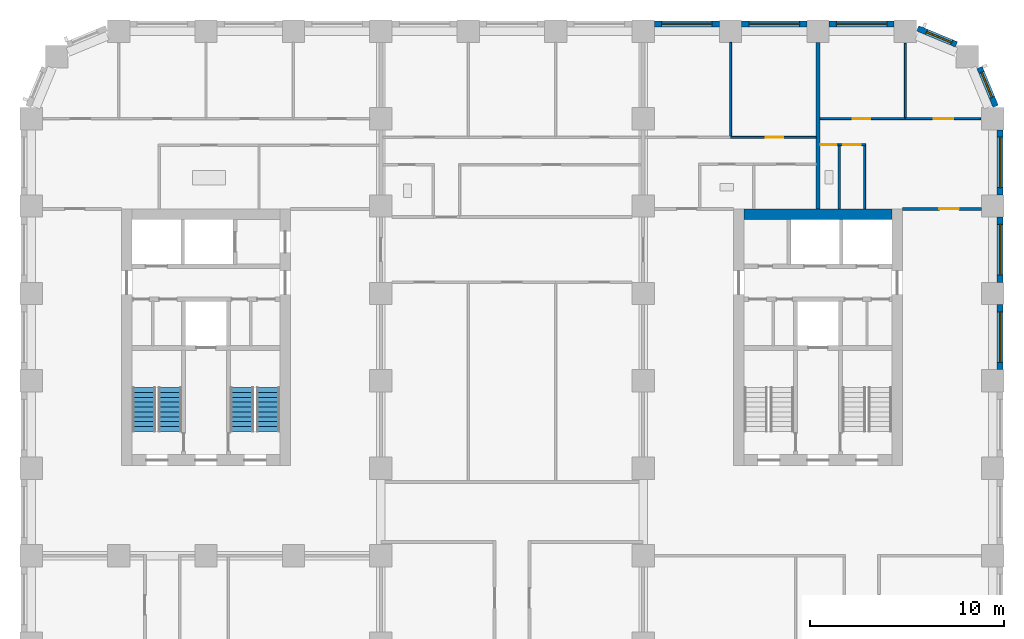
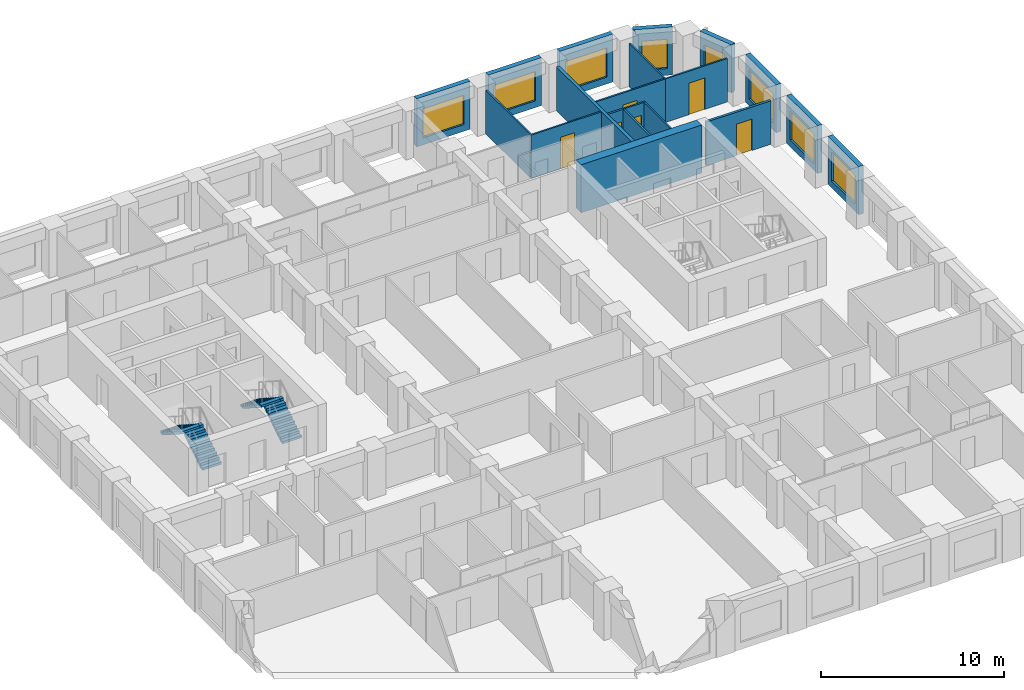
# One storey, part 9 of 13: 20 walls, 8 windows, 6 doors, 4 stair flights, 14 openings, 2 elements without a shape of their own.
"""IFC4 building model written with IfcOpenShell, lengths in metres."""

from ifc_helpers import new_model, si_unit, direction, frame, frame_2d, origin, place, context, subcontext, project, spatial, polyline, rectangle, outline, extrude, material, layer, layer_set, type_object, element, fill, aggregate, save


model = new_model("IFC4")

# Units and contexts
model_context = context("Model", 3, precision=1e-05, world=origin(), true_north=direction((0.0, 1.0)))
body_context = subcontext(model_context, "Body", "Model", "MODEL_VIEW")
ifc_project = project(units=[si_unit("LENGTHUNIT", "METRE"), si_unit("AREAUNIT", "SQUARE_METRE"), si_unit("VOLUMEUNIT", "CUBIC_METRE"), si_unit("PLANEANGLEUNIT", "RADIAN"), si_unit("MASSUNIT", "GRAM", prefix="KILO")], contexts=[model_context])

# Site, building, storey
site_placement = place(None, origin())
site = spatial("IfcSite", under=ifc_project, at=site_placement, CompositionType="ELEMENT")
building_placement = place(site_placement, origin())
building = spatial("IfcBuilding", under=site, at=building_placement, Name="Girih Gate Residences", CompositionType="ELEMENT")
storey_placement = place(building_placement, frame((0.0, 0.0, 96.0)))
storey = spatial("IfcBuildingStorey", under=building, at=storey_placement, Name="L26", CompositionType="ELEMENT", Elevation=96.0)

# Wall, opening, door
ifc_material_1 = material(Name="Gypsum board on steel studs", Category="steel")
ifc_layer_1 = layer(ifc_material_1, 0.14990234375)
ifc_layer_set_1 = layer_set([ifc_layer_1], Name="Compartment wall 150 mm")
wall_type_1 = type_object("IfcWallType", Name="Compartment wall 150 mm", PredefinedType="PARTITIONING", material=ifc_layer_set_1)
wall_1_placement = place(storey_placement, frame((44.85009765625, 40.35009765625, 0.0), z_axis=(0.0, 0.0, 1.0), x_axis=(1.0, 0.0, 0.0)))
wall_1 = element("IfcWall", 1, at=wall_1_placement, inside=storey, type_object=wall_type_1, Name="L26 partition", PredefinedType="PARTITIONING", context=body_context, shape_type="SweptSolid", body=[
    extrude(rectangle(XDim=4.074951171875, YDim=0.14990234375, at=frame_2d((2.03759765625, 0.0))), origin(), (0.0, 0.0, 1.0), 2.89990234375),
])
opening_1_placement = place(wall_1_placement, frame((1.89990234375, 0.0, 0.0)))
opening_1 = element("IfcOpeningElement", 2, at=opening_1_placement, cuts=wall_1, Name="Opening A26-029", PredefinedType="OPENING", context=body_context, shape_type="SweptSolid", body=[
    extrude(rectangle(XDim=1.0, YDim=2.10009765625, at=frame_2d((0.5, 1.050048828125))), frame((0.0, 0.0849609375, 0.0), z_axis=(0.0, -1.0, 0.0), x_axis=(1.0, 0.0, 0.0)), (0.0, 0.0, 1.0), 0.169921875),
])
ifc_material_2 = material(Name="Timber, fire-rated core", Category="wood")
door_type_1 = type_object("IfcDoorType", Name="Flat entrance door 1000x2100 FD30S", OperationType="NOTDEFINED", PredefinedType="DOOR", material=ifc_material_2)
door_1_placement = place(opening_1_placement, origin())
door_1 = element("IfcDoor", 3, at=door_1_placement, inside=storey, type_object=door_type_1, Name="Door A26-029", OperationType="SINGLE_SWING_RIGHT", OverallHeight=2.10009765625, OverallWidth=1.0, PredefinedType="DOOR", context=body_context, shape_type="SweptSolid", body=[
    extrude(rectangle(XDim=1.0, YDim=2.10009765625, at=frame_2d((0.5, 1.050048828125))), frame((0.0, 0.02490234375, 0.0), z_axis=(0.0, -1.0, 0.0), x_axis=(1.0, 0.0, 0.0)), (0.0, 0.0, 1.0), 0.050048828125),
])
fill(opening_1, door_1)

# Wall
ifc_material_3 = material(Name="Concrete C60/75", Category="concrete")
ifc_layer_2 = layer(ifc_material_3, 0.550048828125)
ifc_layer_set_2 = layer_set([ifc_layer_2], Name="Core wall RC 550 Concrete C60/75")
wall_type_2 = type_object("IfcWallType", Name="Core wall RC 550 Concrete C60/75", PredefinedType="SOLIDWALL", material=ifc_layer_set_2)
wall_2_placement = place(storey_placement, frame((36.699951171875, 40.074951171875, 0.0), z_axis=(0.0, 0.0, 1.0), x_axis=(1.0, 0.0, 0.0)))
element("IfcWall", 4, at=wall_2_placement, inside=storey, type_object=wall_type_2, Name="Core wall E-N L26", PredefinedType="SOLIDWALL", context=body_context, shape_type="SweptSolid", body=[
    extrude(rectangle(XDim=7.60009765625, YDim=0.550048828125, at=frame_2d((3.800048828125, 0.0))), origin(), (0.0, 0.0, 1.0), 3.199951171875),
])

# Wall, opening, door
ifc_layer_3 = layer(ifc_material_1, 0.10009765625)
ifc_layer_set_3 = layer_set([ifc_layer_3], Name="Partition 100 mm")
wall_type_3 = type_object("IfcWallType", Name="Partition 100 mm", PredefinedType="PARTITIONING", material=ifc_layer_set_3)
wall_3_placement = place(storey_placement, frame((40.60009765625, 45.0, 0.0), z_axis=(0.0, 0.0, 1.0), x_axis=(1.0, 0.0, 0.0)))
wall_3 = element("IfcWall", 5, at=wall_3_placement, inside=storey, type_object=wall_type_3, Name="L26 partition", PredefinedType="PARTITIONING", context=body_context, shape_type="SweptSolid", body=[
    extrude(rectangle(XDim=4.39990234375, YDim=0.10009765625, at=frame_2d((2.199951171875, 0.0))), origin(), (0.0, 0.0, 1.0), 2.89990234375),
])
opening_2_placement = place(wall_3_placement, frame((1.699951171875, 0.0, 0.0)))
opening_2 = element("IfcOpeningElement", 6, at=opening_2_placement, cuts=wall_3, Name="Opening A26-026", PredefinedType="OPENING", context=body_context, shape_type="SweptSolid", body=[
    extrude(rectangle(XDim=0.89990234375, YDim=2.10009765625, at=frame_2d((0.449951171875, 1.050048828125))), frame((0.0, 0.06005859375, 0.0), z_axis=(0.0, -1.0, 0.0), x_axis=(1.0, 0.0, 0.0)), (0.0, 0.0, 1.0), 0.1201171875),
])
ifc_material_4 = material(Name="Timber", Category="wood")
door_type_2 = type_object("IfcDoorType", Name="Bedroom door 900x2100", OperationType="NOTDEFINED", PredefinedType="DOOR", material=ifc_material_4)
door_2_placement = place(opening_2_placement, origin())
door_2 = element("IfcDoor", 7, at=door_2_placement, inside=storey, type_object=door_type_2, Name="Door A26-026", OperationType="SINGLE_SWING_LEFT", OverallHeight=2.10009765625, OverallWidth=0.89990234375, PredefinedType="DOOR", context=body_context, shape_type="SweptSolid", body=[
    extrude(rectangle(XDim=0.89990234375, YDim=2.10009765625, at=frame_2d((0.449951171875, 1.050048828125))), frame((0.0, 0.02490234375, 0.0), z_axis=(0.0, -1.0, 0.0), x_axis=(1.0, 0.0, 0.0)), (0.0, 0.0, 1.0), 0.050048828125),
])
fill(opening_2, door_2)

# Walls
wall_4_placement = place(storey_placement, frame((45.0, 45.050048828125, 0.0), z_axis=(0.0, 0.0, 1.0), x_axis=(0.0, 1.0, 0.0)))
element("IfcWall", 8, at=wall_4_placement, inside=storey, type_object=wall_type_3, Name="L26 partition", PredefinedType="PARTITIONING", context=body_context, shape_type="SweptSolid", body=[
    extrude(rectangle(XDim=3.82763671875, YDim=0.10009765625, at=frame_2d((1.913818359375, 0.0))), origin(), (0.0, 0.0, 1.0), 2.89990234375),
])
wall_5_placement = place(storey_placement, frame((42.89990234375, 40.35009765625, 0.0), z_axis=(0.0, 0.0, 1.0), x_axis=(0.0, 1.0, 0.0)))
element("IfcWall", 9, at=wall_5_placement, inside=storey, type_object=wall_type_3, Name="L26 partition", PredefinedType="PARTITIONING", context=body_context, shape_type="SweptSolid", body=[
    extrude(rectangle(XDim=3.260009765625, YDim=0.10009765625, at=frame_2d((1.6298828125, 0.0))), origin(), (0.0, 0.0, 1.0), 2.89990234375),
])

# Wall, opening, door
wall_6_placement = place(storey_placement, frame((42.949951171875, 43.659912109375, 0.0), z_axis=(0.0, 0.0, 1.0), x_axis=(-1.0, 0.0, 0.0)))
wall_6 = element("IfcWall", 10, at=wall_6_placement, inside=storey, type_object=wall_type_3, Name="L26 partition", PredefinedType="PARTITIONING", context=body_context, shape_type="SweptSolid", body=[
    extrude(rectangle(XDim=1.359130859375, YDim=0.10009765625, at=frame_2d((0.6796875, 0.0))), origin(), (0.0, 0.0, 1.0), 2.89990234375),
])
opening_3_placement = place(wall_6_placement, frame((0.25439453125, 0.0, 0.0)))
opening_3 = element("IfcOpeningElement", 11, at=opening_3_placement, cuts=wall_6, Name="Opening A26-027", PredefinedType="OPENING", context=body_context, shape_type="SweptSolid", body=[
    extrude(rectangle(XDim=0.89990234375, YDim=2.10009765625, at=frame_2d((0.449951171875, 1.050048828125))), frame((0.0, 0.06005859375, 0.0), z_axis=(0.0, -1.0, 0.0), x_axis=(1.0, 0.0, 0.0)), (0.0, 0.0, 1.0), 0.1201171875),
])
door_type_3 = type_object("IfcDoorType", Name="Kitchen door 900x2100", OperationType="NOTDEFINED", PredefinedType="DOOR", material=ifc_material_4)
door_3_placement = place(opening_3_placement, origin())
door_3 = element("IfcDoor", 12, at=door_3_placement, inside=storey, type_object=door_type_3, Name="Door A26-027", OperationType="SINGLE_SWING_RIGHT", OverallHeight=2.10009765625, OverallWidth=0.89990234375, PredefinedType="DOOR", context=body_context, shape_type="SweptSolid", body=[
    extrude(rectangle(XDim=0.89990234375, YDim=2.10009765625, at=frame_2d((0.449951171875, 1.050048828125))), frame((0.0, 0.02490234375, 0.0), z_axis=(0.0, -1.0, 0.0), x_axis=(1.0, 0.0, 0.0)), (0.0, 0.0, 1.0), 0.050048828125),
])
fill(opening_3, door_3)

wall_7_placement = place(storey_placement, frame((45.0, 45.0, 0.0), z_axis=(0.0, 0.0, 1.0), x_axis=(1.0, 0.0, 0.0)))
wall_7 = element("IfcWall", 13, at=wall_7_placement, inside=storey, type_object=wall_type_3, Name="L26 partition", PredefinedType="PARTITIONING", context=body_context, shape_type="SweptSolid", body=[
    extrude(rectangle(XDim=3.877685546875, YDim=0.10009765625, at=frame_2d((1.93896484375, 0.0))), origin(), (0.0, 0.0, 1.0), 2.89990234375),
])
opening_4_placement = place(wall_7_placement, frame((1.46240234375, 0.0, 0.0)))
opening_4 = element("IfcOpeningElement", 14, at=opening_4_placement, cuts=wall_7, Name="Opening A26-028", PredefinedType="OPENING", context=body_context, shape_type="SweptSolid", body=[
    extrude(rectangle(XDim=1.0, YDim=2.10009765625, at=frame_2d((0.5, 1.050048828125))), frame((0.0, 0.06005859375, 0.0), z_axis=(0.0, -1.0, 0.0), x_axis=(1.0, 0.0, 0.0)), (0.0, 0.0, 1.0), 0.1201171875),
])
door_type_4 = type_object("IfcDoorType", Name="Living room door 1000x2100", OperationType="NOTDEFINED", PredefinedType="DOOR", material=ifc_material_4)
door_4_placement = place(opening_4_placement, origin())
door_4 = element("IfcDoor", 15, at=door_4_placement, inside=storey, type_object=door_type_4, Name="Door A26-028", OperationType="SINGLE_SWING_RIGHT", OverallHeight=2.10009765625, OverallWidth=1.0, PredefinedType="DOOR", context=body_context, shape_type="SweptSolid", body=[
    extrude(rectangle(XDim=1.0, YDim=2.10009765625, at=frame_2d((0.5, 1.050048828125))), frame((0.0, 0.02490234375, 0.0), z_axis=(0.0, -1.0, 0.0), x_axis=(1.0, 0.0, 0.0)), (0.0, 0.0, 1.0), 0.050048828125),
])
fill(opening_4, door_4)

wall_8_placement = place(storey_placement, frame((36.0, 44.034912109375, 0.0), z_axis=(0.0, 0.0, 1.0), x_axis=(1.0, 0.0, 0.0)))
wall_8 = element("IfcWall", 16, at=wall_8_placement, inside=storey, type_object=wall_type_3, Name="L26 partition", PredefinedType="PARTITIONING", context=body_context, shape_type="SweptSolid", body=[
    extrude(rectangle(XDim=4.39990234375, YDim=0.10009765625, at=frame_2d((2.199951171875, 0.0))), origin(), (0.0, 0.0, 1.0), 2.89990234375),
])
opening_5_placement = place(wall_8_placement, frame((1.800048828125, 0.0, 0.0)))
opening_5 = element("IfcOpeningElement", 17, at=opening_5_placement, cuts=wall_8, Name="Opening A26-031", PredefinedType="OPENING", context=body_context, shape_type="SweptSolid", body=[
    extrude(rectangle(XDim=0.89990234375, YDim=2.10009765625, at=frame_2d((0.449951171875, 1.050048828125))), frame((0.0, 0.06005859375, 0.0), z_axis=(0.0, -1.0, 0.0), x_axis=(1.0, 0.0, 0.0)), (0.0, 0.0, 1.0), 0.1201171875),
])
door_5_placement = place(opening_5_placement, origin())
door_5 = element("IfcDoor", 18, at=door_5_placement, inside=storey, type_object=door_type_2, Name="Door A26-031", OperationType="SINGLE_SWING_RIGHT", OverallHeight=2.10009765625, OverallWidth=0.89990234375, PredefinedType="DOOR", context=body_context, shape_type="SweptSolid", body=[
    extrude(rectangle(XDim=0.89990234375, YDim=2.10009765625, at=frame_2d((0.449951171875, 1.050048828125))), frame((0.0, 0.02490234375, 0.0), z_axis=(0.0, -1.0, 0.0), x_axis=(1.0, 0.0, 0.0)), (0.0, 0.0, 1.0), 0.050048828125),
])
fill(opening_5, door_5)

# Walls
wall_9_placement = place(storey_placement, frame((36.0, 44.0849609375, 0.0), z_axis=(0.0, 0.0, 1.0), x_axis=(0.0, 1.0, 0.0)))
element("IfcWall", 19, at=wall_9_placement, inside=storey, type_object=wall_type_3, Name="L26 partition", PredefinedType="PARTITIONING", context=body_context, shape_type="SweptSolid", body=[
    extrude(rectangle(XDim=4.840087890625, YDim=0.10009765625, at=frame_2d((2.419921875, 0.0))), origin(), (0.0, 0.0, 1.0), 2.89990234375),
])
ifc_layer_4 = layer(ifc_material_1, 0.199951171875)
ifc_layer_set_4 = layer_set([ifc_layer_4], Name="Party wall 200 mm")
wall_type_4 = type_object("IfcWallType", Name="Party wall 200 mm", PredefinedType="PARTITIONING", material=ifc_layer_set_4)
wall_10_placement = place(storey_placement, frame((40.5, 40.35009765625, 0.0), z_axis=(0.0, 0.0, 1.0), x_axis=(0.0, 1.0, 0.0)))
element("IfcWall", 20, at=wall_10_placement, inside=storey, type_object=wall_type_4, Name="L26 partition", PredefinedType="PARTITIONING", context=body_context, shape_type="SweptSolid", body=[
    extrude(rectangle(XDim=8.574951171875, YDim=0.199951171875, at=frame_2d((4.28759765625, 0.0))), origin(), (0.0, 0.0, 1.0), 2.89990234375),
])

# Wall, opening, window
ifc_material_5 = material(Name="Precast concrete C50/60", Category="concrete")
ifc_layer_5 = layer(ifc_material_5, 0.080078125, Name="Outer leaf")
ifc_material_6 = material(Name="Rigid PIR insulation")
ifc_layer_6 = layer(ifc_material_6, 0.14990234375, Name="Insulation")
ifc_material_7 = material(Name="Precast concrete C40/50", Category="concrete")
ifc_layer_7 = layer(ifc_material_7, 0.070068359375, Name="Inner leaf")
ifc_layer_set_5 = layer_set([ifc_layer_5, ifc_layer_6, ifc_layer_7], Name="Precast concrete C50/60 external wall 300")
wall_type_5 = type_object("IfcWallType", Name="Precast concrete C50/60 external wall 300", PredefinedType="SOLIDWALL", material=ifc_layer_set_5)
wall_11_placement = place(storey_placement, frame((49.875, 35.425048828125, 0.0), z_axis=(0.0, 0.0, 1.0), x_axis=(0.0, -1.0, 0.0)))
wall_11 = element("IfcWall", 21, at=wall_11_placement, inside=storey, type_object=wall_type_5, Name="External wall E0495_0045.6", PredefinedType="SOLIDWALL", context=body_context, shape_type="SweptSolid", body=[
    extrude(rectangle(XDim=3.35009765625, YDim=0.300048828125, at=frame_2d((1.675048828125, 0.0))), origin(), (0.0, 0.0, 1.0), 3.199951171875),
])
opening_6_placement = place(wall_11_placement, frame((0.375, 0.0, 0.449951171875)))
opening_6 = element("IfcOpeningElement", 22, at=opening_6_placement, cuts=wall_11, Name="Opening W-1A", PredefinedType="OPENING", context=body_context, shape_type="SweptSolid", body=[
    extrude(rectangle(XDim=2.60009765625, YDim=1.949951171875, at=frame_2d((1.300048828125, 0.97509765625))), frame((0.0, 0.159912109375, 0.0), z_axis=(0.0, -1.0, 0.0), x_axis=(1.0, 0.0, 0.0)), (0.0, 0.0, 1.0), 0.320068359375),
])
ifc_material_8 = material(Name="Double glazing in aluminium frame", Category="aluminium")
window_type_1 = type_object("IfcWindowType", Name="Window W-1A 2600x1950", PartitioningType="SINGLE_PANEL", PredefinedType="WINDOW", material=ifc_material_8)
window_1_placement = place(opening_6_placement, origin())
window_1 = element("IfcWindow", 23, at=window_1_placement, inside=storey, type_object=window_type_1, Name="Window W-1A E0495_0045.6", OverallHeight=1.949951171875, OverallWidth=2.60009765625, PartitioningType="SINGLE_PANEL", PredefinedType="WINDOW", context=body_context, shape_type="SweptSolid", body=[
    extrude(rectangle(XDim=2.60009765625, YDim=1.949951171875, at=frame_2d((1.300048828125, 0.97509765625))), frame((0.0, 0.030029296875, 0.0), z_axis=(0.0, -1.0, 0.0), x_axis=(1.0, 0.0, 0.0)), (0.0, 0.0, 1.0), 0.06005859375),
])
fill(opening_6, window_1)

wall_12_placement = place(storey_placement, frame((49.875, 39.925048828125, 0.0), z_axis=(0.0, 0.0, 1.0), x_axis=(0.0, -1.0, 0.0)))
wall_12 = element("IfcWall", 24, at=wall_12_placement, inside=storey, type_object=wall_type_5, Name="External wall E0495_0045.7", PredefinedType="SOLIDWALL", context=body_context, shape_type="SweptSolid", body=[
    extrude(rectangle(XDim=3.35009765625, YDim=0.300048828125, at=frame_2d((1.675048828125, 0.0))), origin(), (0.0, 0.0, 1.0), 3.199951171875),
])
opening_7_placement = place(wall_12_placement, frame((0.375, 0.0, 0.449951171875)))
opening_7 = element("IfcOpeningElement", 25, at=opening_7_placement, cuts=wall_12, Name="Opening W-1A", PredefinedType="OPENING", context=body_context, shape_type="SweptSolid", body=[
    extrude(rectangle(XDim=2.60009765625, YDim=1.949951171875, at=frame_2d((1.300048828125, 0.97509765625))), frame((0.0, 0.159912109375, 0.0), z_axis=(0.0, -1.0, 0.0), x_axis=(1.0, 0.0, 0.0)), (0.0, 0.0, 1.0), 0.320068359375),
])
window_2_placement = place(opening_7_placement, origin())
window_2 = element("IfcWindow", 26, at=window_2_placement, inside=storey, type_object=window_type_1, Name="Window W-1A E0495_0045.7", OverallHeight=1.949951171875, OverallWidth=2.60009765625, PartitioningType="SINGLE_PANEL", PredefinedType="WINDOW", context=body_context, shape_type="SweptSolid", body=[
    extrude(rectangle(XDim=2.60009765625, YDim=1.949951171875, at=frame_2d((1.300048828125, 0.97509765625))), frame((0.0, 0.030029296875, 0.0), z_axis=(0.0, -1.0, 0.0), x_axis=(1.0, 0.0, 0.0)), (0.0, 0.0, 1.0), 0.06005859375),
])
fill(opening_7, window_2)

wall_13_placement = place(storey_placement, frame((49.875, 44.425048828125, 0.0), z_axis=(0.0, 0.0, 1.0), x_axis=(0.0, -1.0, 0.0)))
wall_13 = element("IfcWall", 27, at=wall_13_placement, inside=storey, type_object=wall_type_5, Name="External wall E0495_0045.8", PredefinedType="SOLIDWALL", context=body_context, shape_type="SweptSolid", body=[
    extrude(rectangle(XDim=3.35009765625, YDim=0.300048828125, at=frame_2d((1.675048828125, 0.0))), origin(), (0.0, 0.0, 1.0), 3.199951171875),
])
opening_8_placement = place(wall_13_placement, frame((0.375, 0.0, 0.449951171875)))
opening_8 = element("IfcOpeningElement", 28, at=opening_8_placement, cuts=wall_13, Name="Opening W-1A", PredefinedType="OPENING", context=body_context, shape_type="SweptSolid", body=[
    extrude(rectangle(XDim=2.60009765625, YDim=1.949951171875, at=frame_2d((1.300048828125, 0.97509765625))), frame((0.0, 0.159912109375, 0.0), z_axis=(0.0, -1.0, 0.0), x_axis=(1.0, 0.0, 0.0)), (0.0, 0.0, 1.0), 0.320068359375),
])
window_3_placement = place(opening_8_placement, origin())
window_3 = element("IfcWindow", 29, at=window_3_placement, inside=storey, type_object=window_type_1, Name="Window W-1A E0495_0045.8", OverallHeight=1.949951171875, OverallWidth=2.60009765625, PartitioningType="SINGLE_PANEL", PredefinedType="WINDOW", context=body_context, shape_type="SweptSolid", body=[
    extrude(rectangle(XDim=2.60009765625, YDim=1.949951171875, at=frame_2d((1.300048828125, 0.97509765625))), frame((0.0, 0.030029296875, 0.0), z_axis=(0.0, -1.0, 0.0), x_axis=(1.0, 0.0, 0.0)), (0.0, 0.0, 1.0), 0.06005859375),
])
fill(opening_8, window_3)

wall_14_placement = place(storey_placement, frame((48.81591796875, 47.63134765625, 0.0), z_axis=(0.0, 0.0, 1.0), x_axis=(0.382723818695, -0.923862802911, 0.0)))
wall_14 = element("IfcWall", 30, at=wall_14_placement, inside=storey, type_object=wall_type_5, Name="External wall NE0495_0450.0", PredefinedType="SOLIDWALL", context=body_context, shape_type="SweptSolid", body=[
    extrude(rectangle(XDim=2.163818359375, YDim=0.300048828125, at=frame_2d((1.08203125, 0.0))), origin(), (0.0, 0.0, 1.0), 3.199951171875),
])
opening_9_placement = place(wall_14_placement, frame((0.270751953125, 0.0, 0.449951171875)))
opening_9 = element("IfcOpeningElement", 31, at=opening_9_placement, cuts=wall_14, Name="Opening W-2D", PredefinedType="OPENING", context=body_context, shape_type="SweptSolid", body=[
    extrude(rectangle(XDim=1.39990234375, YDim=1.949951171875, at=frame_2d((0.699951171875, 0.97509765625))), frame((0.0, 0.159912109375, 0.0), z_axis=(0.0, -1.0, 0.0), x_axis=(1.0, 0.0, 0.0)), (0.0, 0.0, 1.0), 0.320068359375),
])
window_type_2 = type_object("IfcWindowType", Name="Window W-2D 1400x1950", PartitioningType="SINGLE_PANEL", PredefinedType="WINDOW", material=ifc_material_8)
window_4_placement = place(opening_9_placement, origin())
window_4 = element("IfcWindow", 32, at=window_4_placement, inside=storey, type_object=window_type_2, Name="Window W-2D NE0495_0450.0", OverallHeight=1.949951171875, OverallWidth=1.39990234375, PartitioningType="SINGLE_PANEL", PredefinedType="WINDOW", context=body_context, shape_type="SweptSolid", body=[
    extrude(rectangle(XDim=1.39990234375, YDim=1.949951171875, at=frame_2d((0.699951171875, 0.97509765625))), frame((0.0, 0.030029296875, 0.0), z_axis=(0.0, -1.0, 0.0), x_axis=(1.0, 0.0, 0.0)), (0.0, 0.0, 1.0), 0.06005859375),
])
fill(opening_9, window_4)

wall_15_placement = place(storey_placement, frame((45.63232421875, 49.64404296875, 0.0), z_axis=(0.0, 0.0, 1.0), x_axis=(0.923862802911, -0.382723818695, 0.0)))
wall_15 = element("IfcWall", 33, at=wall_15_placement, inside=storey, type_object=wall_type_5, Name="External wall NE0482_0482.0", PredefinedType="SOLIDWALL", context=body_context, shape_type="SweptSolid", body=[
    extrude(rectangle(XDim=2.163818359375, YDim=0.300048828125, at=frame_2d((1.08203125, 0.0))), origin(), (0.0, 0.0, 1.0), 3.199951171875),
])
opening_10_placement = place(wall_15_placement, frame((0.492919921875, 0.0, 0.449951171875)))
opening_10 = element("IfcOpeningElement", 34, at=opening_10_placement, cuts=wall_15, Name="Opening W-2D", PredefinedType="OPENING", context=body_context, shape_type="SweptSolid", body=[
    extrude(rectangle(XDim=1.39990234375, YDim=1.949951171875, at=frame_2d((0.699951171875, 0.97509765625))), frame((0.0, 0.159912109375, 0.0), z_axis=(0.0, -1.0, 0.0), x_axis=(1.0, 0.0, 0.0)), (0.0, 0.0, 1.0), 0.320068359375),
])
window_5_placement = place(opening_10_placement, origin())
window_5 = element("IfcWindow", 35, at=window_5_placement, inside=storey, type_object=window_type_2, Name="Window W-2D NE0482_0482.0", OverallHeight=1.949951171875, OverallWidth=1.39990234375, PartitioningType="SINGLE_PANEL", PredefinedType="WINDOW", context=body_context, shape_type="SweptSolid", body=[
    extrude(rectangle(XDim=1.39990234375, YDim=1.949951171875, at=frame_2d((0.699951171875, 0.97509765625))), frame((0.0, 0.030029296875, 0.0), z_axis=(0.0, -1.0, 0.0), x_axis=(1.0, 0.0, 0.0)), (0.0, 0.0, 1.0), 0.06005859375),
])
fill(opening_10, window_5)

wall_16_placement = place(storey_placement, frame((41.074951171875, 49.875, 0.0), z_axis=(0.0, 0.0, 1.0), x_axis=(1.0, 0.0, 0.0)))
wall_16 = element("IfcWall", 36, at=wall_16_placement, inside=storey, type_object=wall_type_5, Name="External wall N0450_0495.0", PredefinedType="SOLIDWALL", context=body_context, shape_type="SweptSolid", body=[
    extrude(rectangle(XDim=3.35009765625, YDim=0.300048828125, at=frame_2d((1.675048828125, 0.0))), origin(), (0.0, 0.0, 1.0), 3.199951171875),
])
opening_11_placement = place(wall_16_placement, frame((0.375, 0.0, 0.449951171875)))
opening_11 = element("IfcOpeningElement", 37, at=opening_11_placement, cuts=wall_16, Name="Opening W-1A", PredefinedType="OPENING", context=body_context, shape_type="SweptSolid", body=[
    extrude(rectangle(XDim=2.60009765625, YDim=1.949951171875, at=frame_2d((1.300048828125, 0.97509765625))), frame((0.0, 0.159912109375, 0.0), z_axis=(0.0, -1.0, 0.0), x_axis=(1.0, 0.0, 0.0)), (0.0, 0.0, 1.0), 0.320068359375),
])
window_6_placement = place(opening_11_placement, origin())
window_6 = element("IfcWindow", 38, at=window_6_placement, inside=storey, type_object=window_type_1, Name="Window W-1A N0450_0495.0", OverallHeight=1.949951171875, OverallWidth=2.60009765625, PartitioningType="SINGLE_PANEL", PredefinedType="WINDOW", context=body_context, shape_type="SweptSolid", body=[
    extrude(rectangle(XDim=2.60009765625, YDim=1.949951171875, at=frame_2d((1.300048828125, 0.97509765625))), frame((0.0, 0.030029296875, 0.0), z_axis=(0.0, -1.0, 0.0), x_axis=(1.0, 0.0, 0.0)), (0.0, 0.0, 1.0), 0.06005859375),
])
fill(opening_11, window_6)

wall_17_placement = place(storey_placement, frame((36.574951171875, 49.875, 0.0), z_axis=(0.0, 0.0, 1.0), x_axis=(1.0, 0.0, 0.0)))
wall_17 = element("IfcWall", 39, at=wall_17_placement, inside=storey, type_object=wall_type_5, Name="External wall N0450_0495.1", PredefinedType="SOLIDWALL", context=body_context, shape_type="SweptSolid", body=[
    extrude(rectangle(XDim=3.35009765625, YDim=0.300048828125, at=frame_2d((1.675048828125, 0.0))), origin(), (0.0, 0.0, 1.0), 3.199951171875),
])
opening_12_placement = place(wall_17_placement, frame((0.375, 0.0, 0.449951171875)))
opening_12 = element("IfcOpeningElement", 40, at=opening_12_placement, cuts=wall_17, Name="Opening W-1A", PredefinedType="OPENING", context=body_context, shape_type="SweptSolid", body=[
    extrude(rectangle(XDim=2.60009765625, YDim=1.949951171875, at=frame_2d((1.300048828125, 0.97509765625))), frame((0.0, 0.159912109375, 0.0), z_axis=(0.0, -1.0, 0.0), x_axis=(1.0, 0.0, 0.0)), (0.0, 0.0, 1.0), 0.320068359375),
])
window_7_placement = place(opening_12_placement, origin())
window_7 = element("IfcWindow", 41, at=window_7_placement, inside=storey, type_object=window_type_1, Name="Window W-1A N0450_0495.1", OverallHeight=1.949951171875, OverallWidth=2.60009765625, PartitioningType="SINGLE_PANEL", PredefinedType="WINDOW", context=body_context, shape_type="SweptSolid", body=[
    extrude(rectangle(XDim=2.60009765625, YDim=1.949951171875, at=frame_2d((1.300048828125, 0.97509765625))), frame((0.0, 0.030029296875, 0.0), z_axis=(0.0, -1.0, 0.0), x_axis=(1.0, 0.0, 0.0)), (0.0, 0.0, 1.0), 0.06005859375),
])
fill(opening_12, window_7)

wall_18_placement = place(storey_placement, frame((32.074951171875, 49.875, 0.0), z_axis=(0.0, 0.0, 1.0), x_axis=(1.0, 0.0, 0.0)))
wall_18 = element("IfcWall", 42, at=wall_18_placement, inside=storey, type_object=wall_type_5, Name="External wall N0450_0495.2", PredefinedType="SOLIDWALL", context=body_context, shape_type="SweptSolid", body=[
    extrude(rectangle(XDim=3.35009765625, YDim=0.300048828125, at=frame_2d((1.675048828125, 0.0))), origin(), (0.0, 0.0, 1.0), 3.199951171875),
])
opening_13_placement = place(wall_18_placement, frame((0.375, 0.0, 0.449951171875)))
opening_13 = element("IfcOpeningElement", 43, at=opening_13_placement, cuts=wall_18, Name="Opening W-1A", PredefinedType="OPENING", context=body_context, shape_type="SweptSolid", body=[
    extrude(rectangle(XDim=2.60009765625, YDim=1.949951171875, at=frame_2d((1.300048828125, 0.97509765625))), frame((0.0, 0.159912109375, 0.0), z_axis=(0.0, -1.0, 0.0), x_axis=(1.0, 0.0, 0.0)), (0.0, 0.0, 1.0), 0.320068359375),
])
window_8_placement = place(opening_13_placement, origin())
window_8 = element("IfcWindow", 44, at=window_8_placement, inside=storey, type_object=window_type_1, Name="Window W-1A N0450_0495.2", OverallHeight=1.949951171875, OverallWidth=2.60009765625, PartitioningType="SINGLE_PANEL", PredefinedType="WINDOW", context=body_context, shape_type="SweptSolid", body=[
    extrude(rectangle(XDim=2.60009765625, YDim=1.949951171875, at=frame_2d((1.300048828125, 0.97509765625))), frame((0.0, 0.030029296875, 0.0), z_axis=(0.0, -1.0, 0.0), x_axis=(1.0, 0.0, 0.0)), (0.0, 0.0, 1.0), 0.06005859375),
])
fill(opening_13, window_8)

# Wall, opening, door
ifc_layer_8 = layer(ifc_material_1, 0.125)
ifc_layer_set_6 = layer_set([ifc_layer_8], Name="Wet room wall 125 mm")
wall_type_6 = type_object("IfcWallType", Name="Wet room wall 125 mm", PredefinedType="PARTITIONING", material=ifc_layer_set_6)
wall_19_placement = place(storey_placement, frame((41.5908203125, 43.659912109375, 0.0), z_axis=(0.0, 0.0, 1.0), x_axis=(-1.0, 0.0, 0.0)))
wall_19 = element("IfcWall", 45, at=wall_19_placement, inside=storey, type_object=wall_type_6, Name="L26 partition", PredefinedType="PARTITIONING", context=body_context, shape_type="SweptSolid", body=[
    extrude(rectangle(XDim=0.99072265625, YDim=0.125, at=frame_2d((0.495361328125, 0.0))), origin(), (0.0, 0.0, 1.0), 2.89990234375),
])
opening_14_placement = place(wall_19_placement, frame((0.1455078125, 0.0, 0.0)))
opening_14 = element("IfcOpeningElement", 46, at=opening_14_placement, cuts=wall_19, Name="Opening A26-025", PredefinedType="OPENING", context=body_context, shape_type="SweptSolid", body=[
    extrude(rectangle(XDim=0.800048828125, YDim=2.10009765625, at=frame_2d((0.39990234375, 1.050048828125))), frame((0.0, 0.072509765625, 0.0), z_axis=(0.0, -1.0, 0.0), x_axis=(1.0, 0.0, 0.0)), (0.0, 0.0, 1.0), 0.14501953125),
])
door_type_5 = type_object("IfcDoorType", Name="Bathroom door 800x2100", OperationType="NOTDEFINED", PredefinedType="DOOR", material=ifc_material_4)
door_6_placement = place(opening_14_placement, origin())
door_6 = element("IfcDoor", 47, at=door_6_placement, inside=storey, type_object=door_type_5, Name="Door A26-025", OperationType="SINGLE_SWING_RIGHT", OverallHeight=2.10009765625, OverallWidth=0.800048828125, PredefinedType="DOOR", context=body_context, shape_type="SweptSolid", body=[
    extrude(rectangle(XDim=0.800048828125, YDim=2.10009765625, at=frame_2d((0.39990234375, 1.050048828125))), frame((0.0, 0.02490234375, 0.0), z_axis=(0.0, -1.0, 0.0), x_axis=(1.0, 0.0, 0.0)), (0.0, 0.0, 1.0), 0.050048828125),
])
fill(opening_14, door_6)

# Wall
wall_20_placement = place(storey_placement, frame((41.591064453125, 40.35009765625, 0.0), z_axis=(0.0, 0.0, 1.0), x_axis=(0.0, 1.0, 0.0)))
element("IfcWall", 48, at=wall_20_placement, inside=storey, type_object=wall_type_6, Name="L26 partition", PredefinedType="PARTITIONING", context=body_context, shape_type="SweptSolid", body=[
    extrude(rectangle(XDim=3.247314453125, YDim=0.125, at=frame_2d((1.62353515625, 0.0))), origin(), (0.0, 0.0, 1.0), 2.89990234375),
])

# Stair, stair flights
ifc_material_9 = material(Name="Concrete C40/50", Category="concrete")
stair_type = type_object("IfcStairType", Name="Exit stair", PredefinedType="HALF_TURN_STAIR", material=ifc_material_9)
stair_1_placement = place(storey_placement, origin())
stair_1 = element("IfcStair", 49, at=stair_1_placement, inside=storey, type_object=stair_type, Name="L26 Exit Stair ST-W1", PredefinedType="HALF_TURN_STAIR")
stair_flight_type = type_object("IfcStairFlightType", Name="Stair flight 1200", PredefinedType="STRAIGHT", material=ifc_material_9)
stair_flight_1_placement = place(storey_placement, frame((7.14990234375, 28.89990234375, 0.0), z_axis=(0.0, 0.0, 1.0), x_axis=(0.0, 1.0, 0.0)))
stair_flight_1 = element("IfcStairFlight", 50, at=stair_flight_1_placement, type_object=stair_flight_type, Name="ST-W1 flight 1", NumberOfRisers=10, NumberOfTreads=9, PredefinedType="STRAIGHT", RiserHeight=0.16, TreadLength=0.25, context=body_context, shape_type="SweptSolid", body=[
    extrude(outline(polyline([(0.0, 0.0), (0.0, 0.159912109375), (0.25, 0.159912109375), (0.25, 0.320068359375), (0.5, 0.320068359375), (0.5, 0.47998046875), (0.75, 0.47998046875), (0.75, 0.639892578125), (1.0, 0.639892578125), (1.0, 0.800048828125), (1.25, 0.800048828125), (1.25, 0.9599609375), (1.5, 0.9599609375), (1.5, 1.1201171875), (1.75, 1.1201171875), (1.75, 1.280029296875), (2.0, 1.280029296875), (2.0, 1.43994140625), (2.25, 1.43994140625), (2.25, 1.60009765625), (2.25, 1.29736328125), (0.222900390625, 0.0), (0.0, 0.0)])), frame((0.0, 0.60009765625, 0.0), z_axis=(0.0, -1.0, 0.0), x_axis=(1.0, 0.0, 0.0)), (0.0, 0.0, 1.0), 1.199951171875),
])
stair_flight_2_placement = place(storey_placement, frame((5.800048828125, 31.14990234375, 1.60009765625), z_axis=(0.0, 0.0, 1.0), x_axis=(0.0, -1.0, 0.0)))
stair_flight_2 = element("IfcStairFlight", 51, at=stair_flight_2_placement, type_object=stair_flight_type, Name="ST-W1 flight 2", NumberOfRisers=10, NumberOfTreads=9, PredefinedType="STRAIGHT", RiserHeight=0.16, TreadLength=0.25, context=body_context, shape_type="SweptSolid", body=[
    extrude(outline(polyline([(0.0, 0.0), (0.0, 0.159912109375), (0.25, 0.159912109375), (0.25, 0.320068359375), (0.5, 0.320068359375), (0.5, 0.47998046875), (0.75, 0.47998046875), (0.75, 0.639892578125), (1.0, 0.639892578125), (1.0, 0.800048828125), (1.25, 0.800048828125), (1.25, 0.9599609375), (1.5, 0.9599609375), (1.5, 1.1201171875), (1.75, 1.1201171875), (1.75, 1.280029296875), (2.0, 1.280029296875), (2.0, 1.43994140625), (2.25, 1.43994140625), (2.25, 1.60009765625), (2.25, 1.29736328125), (0.222900390625, 0.0), (0.0, 0.0)])), frame((0.0, 0.60009765625, 0.0), z_axis=(0.0, -1.0, 0.0), x_axis=(1.0, 0.0, 0.0)), (0.0, 0.0, 1.0), 1.199951171875),
])
aggregate(stair_1, [stair_flight_1, stair_flight_2])

stair_2_placement = place(storey_placement, origin())
stair_2 = element("IfcStair", 52, at=stair_2_placement, inside=storey, type_object=stair_type, Name="L26 Exit Stair ST-W2", PredefinedType="HALF_TURN_STAIR")
stair_flight_3_placement = place(storey_placement, frame((12.199951171875, 28.89990234375, 0.0), z_axis=(0.0, 0.0, 1.0), x_axis=(0.0, 1.0, 0.0)))
stair_flight_3 = element("IfcStairFlight", 53, at=stair_flight_3_placement, type_object=stair_flight_type, Name="ST-W2 flight 1", NumberOfRisers=10, NumberOfTreads=9, PredefinedType="STRAIGHT", RiserHeight=0.16, TreadLength=0.25, context=body_context, shape_type="SweptSolid", body=[
    extrude(outline(polyline([(0.0, 0.0), (0.0, 0.159912109375), (0.25, 0.159912109375), (0.25, 0.320068359375), (0.5, 0.320068359375), (0.5, 0.47998046875), (0.75, 0.47998046875), (0.75, 0.639892578125), (1.0, 0.639892578125), (1.0, 0.800048828125), (1.25, 0.800048828125), (1.25, 0.9599609375), (1.5, 0.9599609375), (1.5, 1.1201171875), (1.75, 1.1201171875), (1.75, 1.280029296875), (2.0, 1.280029296875), (2.0, 1.43994140625), (2.25, 1.43994140625), (2.25, 1.60009765625), (2.25, 1.29736328125), (0.222900390625, 0.0), (0.0, 0.0)])), frame((0.0, 0.60009765625, 0.0), z_axis=(0.0, -1.0, 0.0), x_axis=(1.0, 0.0, 0.0)), (0.0, 0.0, 1.0), 1.199951171875),
])
stair_flight_4_placement = place(storey_placement, frame((10.85009765625, 31.14990234375, 1.60009765625), z_axis=(0.0, 0.0, 1.0), x_axis=(0.0, -1.0, 0.0)))
stair_flight_4 = element("IfcStairFlight", 54, at=stair_flight_4_placement, type_object=stair_flight_type, Name="ST-W2 flight 2", NumberOfRisers=10, NumberOfTreads=9, PredefinedType="STRAIGHT", RiserHeight=0.16, TreadLength=0.25, context=body_context, shape_type="SweptSolid", body=[
    extrude(outline(polyline([(0.0, 0.0), (0.0, 0.159912109375), (0.25, 0.159912109375), (0.25, 0.320068359375), (0.5, 0.320068359375), (0.5, 0.47998046875), (0.75, 0.47998046875), (0.75, 0.639892578125), (1.0, 0.639892578125), (1.0, 0.800048828125), (1.25, 0.800048828125), (1.25, 0.9599609375), (1.5, 0.9599609375), (1.5, 1.1201171875), (1.75, 1.1201171875), (1.75, 1.280029296875), (2.0, 1.280029296875), (2.0, 1.43994140625), (2.25, 1.43994140625), (2.25, 1.60009765625), (2.25, 1.29736328125), (0.222900390625, 0.0), (0.0, 0.0)])), frame((0.0, 0.60009765625, 0.0), z_axis=(0.0, -1.0, 0.0), x_axis=(1.0, 0.0, 0.0)), (0.0, 0.0, 1.0), 1.199951171875),
])
aggregate(stair_2, [stair_flight_3, stair_flight_4])

save(model, "model.ifc")
